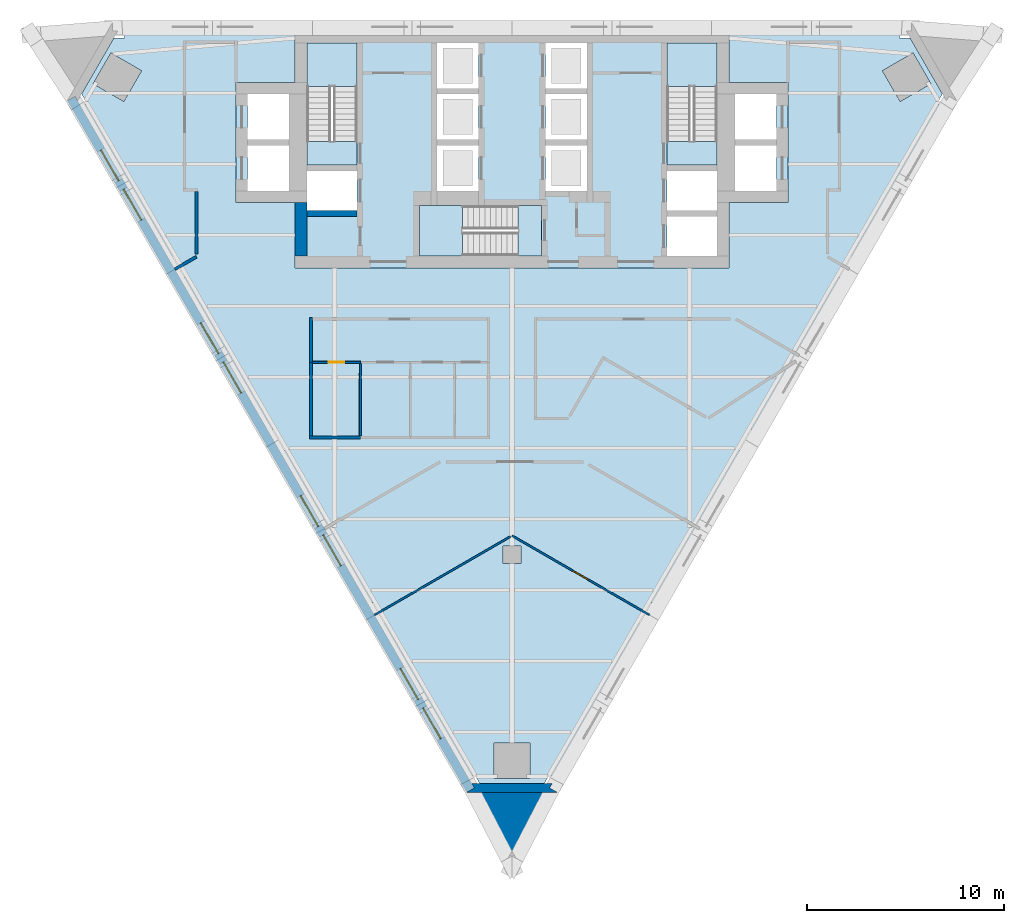
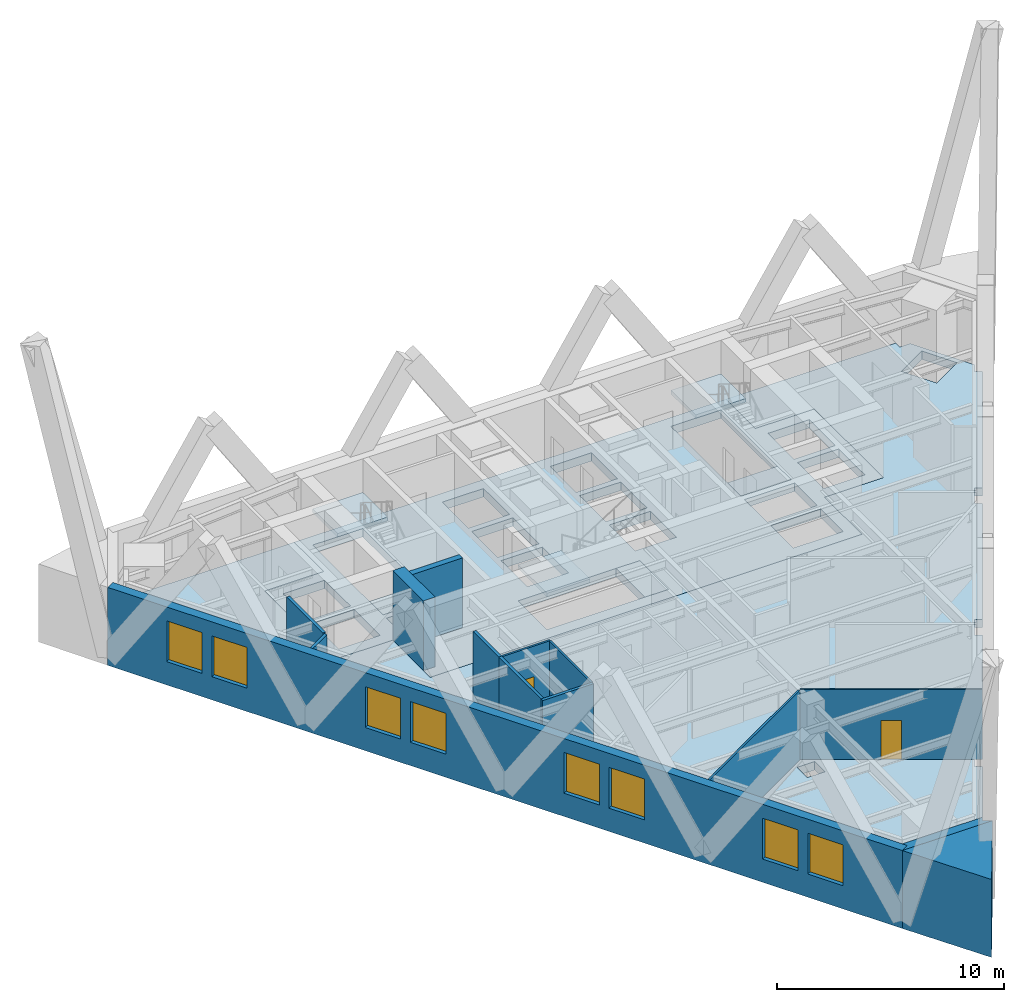
# One storey, part 2 of 8: 14 walls, 8 slabs, 8 windows, 2 doors, 10 openings, 3 elements without a shape of their own.
"""IFC4 building model written with IfcOpenShell, lengths in metres."""

from ifc_helpers import new_model, si_unit, direction, frame, frame_2d, origin, place, context, subcontext, project, spatial, polyline, rectangle, outline, extrude, material, layer, layer_set, type_object, element, fill, aggregate, save


model = new_model("IFC4")

# Units and contexts
model_context = context("Model", 3, precision=1e-05, world=origin(), true_north=direction((0.0, 1.0)))
body_context = subcontext(model_context, "Body", "Model", "MODEL_VIEW")
ifc_project = project(units=[si_unit("LENGTHUNIT", "METRE"), si_unit("AREAUNIT", "SQUARE_METRE"), si_unit("VOLUMEUNIT", "CUBIC_METRE"), si_unit("PLANEANGLEUNIT", "RADIAN"), si_unit("MASSUNIT", "GRAM", prefix="KILO")], contexts=[model_context])

# Site, building, storey
site_placement = place(None, origin())
site = spatial("IfcSite", under=ifc_project, at=site_placement, CompositionType="ELEMENT")
building_placement = place(site_placement, origin())
building = spatial("IfcBuilding", under=site, at=building_placement, Name="Aloe Facet Convention Tower", CompositionType="ELEMENT")
storey_placement = place(building_placement, frame((0.0, 0.0, 128.60009765625)))
storey = spatial("IfcBuildingStorey", under=building, at=storey_placement, Name="L32", CompositionType="ELEMENT", Elevation=128.60009765625)

# Slabs
ifc_material_1 = material(Name="Concrete C60/75", Category="concrete")
ifc_layer_1 = layer(ifc_material_1, 0.449951171875)
ifc_layer_set_1 = layer_set([ifc_layer_1], Name="CR-S-FLOOR450-C6075")
slab_type_1 = type_object("IfcSlabType", Name="CR-S-FLOOR450-C6075", PredefinedType="FLOOR", material=ifc_layer_set_1)
slab_1_placement = place(storey_placement, frame((0.0, 0.0, -0.4501953125)))
element("IfcSlab", 1, at=slab_1_placement, inside=storey, type_object=slab_type_1, Name="Stair landing floor L32", PredefinedType="FLOOR", context=body_context, shape_type="SweptSolid", body=[
    extrude(outline(polyline([(72.14990234375, 127.75), (72.14990234375, 128.951171875), (69.60009765625, 128.951171875), (69.60009765625, 127.75), (72.14990234375, 127.75)])), origin(), (0.0, 0.0, 1.0), 0.4501953125),
])
slab_2_placement = place(storey_placement, frame((0.0, 0.0, -0.4501953125)))
element("IfcSlab", 2, at=slab_2_placement, inside=storey, type_object=slab_type_1, Name="Stair landing floor L32", PredefinedType="FLOOR", context=body_context, shape_type="SweptSolid", body=[
    extrude(outline(polyline([(90.39990234375, 127.75), (90.39990234375, 128.951171875), (87.85009765625, 128.951171875), (87.85009765625, 127.75), (90.39990234375, 127.75)])), origin(), (0.0, 0.0, 1.0), 0.4501953125),
])
slab_3_placement = place(storey_placement, frame((0.0, 0.0, -0.4501953125)))
element("IfcSlab", 3, at=slab_3_placement, inside=storey, type_object=slab_type_1, Name="Stair landing floor L32", PredefinedType="FLOOR", context=body_context, shape_type="SweptSolid", body=[
    extrude(outline(polyline([(81.5, 125.699951171875), (80.298828125, 125.699951171875), (80.298828125, 123.14990234375), (81.5, 123.14990234375), (81.5, 125.699951171875)])), origin(), (0.0, 0.0, 1.0), 0.4501953125),
])
slab_4_placement = place(storey_placement, frame((0.0, 0.0, -0.4501953125)))
element("IfcSlab", 4, at=slab_4_placement, inside=storey, type_object=slab_type_1, Name="Core floor L32", PredefinedType="FLOOR", context=body_context, shape_type="SweptSolid", body=[
    extrude(outline(polyline([(69.0, 134.550048828125), (71.85009765625, 134.550048828125), (72.75, 134.550048828125), (75.60009765625, 134.550048828125), (76.5, 134.550048828125), (78.0, 134.550048828125), (78.89990234375, 134.550048828125), (81.10009765625, 134.550048828125), (82.0, 134.550048828125), (83.5, 134.550048828125), (84.39990234375, 134.550048828125), (87.25, 134.550048828125), (88.14990234375, 134.550048828125), (91.0, 134.550048828125), (91.0, 131.949951171875), (94.0, 131.949951171875), (94.0, 129.35009765625), (94.0, 128.449951171875), (94.0, 125.85009765625), (91.0, 125.85009765625), (91.0, 125.75), (91.0, 124.85009765625), (91.0, 122.550048828125), (88.14990234375, 122.550048828125), (87.25, 122.550048828125), (85.300048828125, 122.550048828125), (84.39990234375, 122.550048828125), (82.10009765625, 122.550048828125), (81.199951171875, 122.550048828125), (75.60009765625, 122.550048828125), (74.699951171875, 122.550048828125), (72.75, 122.550048828125), (71.85009765625, 122.550048828125), (69.0, 122.550048828125), (69.0, 124.85009765625), (69.0, 125.75), (69.0, 125.85009765625), (66.0, 125.85009765625), (66.0, 128.449951171875), (66.0, 129.35009765625), (66.0, 131.949951171875), (69.0, 131.949951171875), (69.0, 134.550048828125)]), holes=[polyline([(75.300048828125, 123.14990234375), (80.298828125, 123.14990234375), (81.5, 123.14990234375), (81.5, 125.699951171875), (80.298828125, 125.699951171875), (75.300048828125, 125.699951171875), (75.300048828125, 123.14990234375)]), polyline([(69.60009765625, 125.449951171875), (72.14990234375, 125.449951171875), (72.14990234375, 127.449951171875), (69.60009765625, 127.449951171875), (69.60009765625, 125.449951171875)]), polyline([(66.60009765625, 126.449951171875), (68.699951171875, 126.449951171875), (68.699951171875, 128.75), (66.60009765625, 128.75), (66.60009765625, 126.449951171875)]), polyline([(76.199951171875, 126.449951171875), (78.300048828125, 126.449951171875), (78.300048828125, 128.75), (76.199951171875, 128.75), (76.199951171875, 126.449951171875)]), polyline([(66.60009765625, 129.050048828125), (68.699951171875, 129.050048828125), (68.699951171875, 131.35009765625), (66.60009765625, 131.35009765625), (66.60009765625, 129.050048828125)]), polyline([(76.199951171875, 129.050048828125), (78.300048828125, 129.050048828125), (78.300048828125, 131.35009765625), (76.199951171875, 131.35009765625), (76.199951171875, 129.050048828125)]), polyline([(69.60009765625, 133.949951171875), (69.60009765625, 128.951171875), (69.60009765625, 127.75), (72.14990234375, 127.75), (72.14990234375, 128.951171875), (72.14990234375, 133.949951171875), (69.60009765625, 133.949951171875)]), polyline([(76.199951171875, 131.64990234375), (78.300048828125, 131.64990234375), (78.300048828125, 133.949951171875), (76.199951171875, 133.949951171875), (76.199951171875, 131.64990234375)]), polyline([(87.85009765625, 123.14990234375), (90.39990234375, 123.14990234375), (90.39990234375, 125.14990234375), (87.85009765625, 125.14990234375), (87.85009765625, 123.14990234375)]), polyline([(87.85009765625, 125.449951171875), (90.39990234375, 125.449951171875), (90.39990234375, 127.449951171875), (87.85009765625, 127.449951171875), (87.85009765625, 125.449951171875)]), polyline([(81.699951171875, 126.449951171875), (83.800048828125, 126.449951171875), (83.800048828125, 128.75), (81.699951171875, 128.75), (81.699951171875, 126.449951171875)]), polyline([(91.300048828125, 126.449951171875), (93.39990234375, 126.449951171875), (93.39990234375, 128.75), (91.300048828125, 128.75), (91.300048828125, 126.449951171875)]), polyline([(81.699951171875, 129.050048828125), (83.800048828125, 129.050048828125), (83.800048828125, 131.35009765625), (81.699951171875, 131.35009765625), (81.699951171875, 129.050048828125)]), polyline([(91.300048828125, 129.050048828125), (93.39990234375, 129.050048828125), (93.39990234375, 131.35009765625), (91.300048828125, 131.35009765625), (91.300048828125, 129.050048828125)]), polyline([(87.85009765625, 133.949951171875), (87.85009765625, 128.951171875), (87.85009765625, 127.75), (90.39990234375, 127.75), (90.39990234375, 128.951171875), (90.39990234375, 133.949951171875), (87.85009765625, 133.949951171875)]), polyline([(81.699951171875, 131.64990234375), (83.800048828125, 131.64990234375), (83.800048828125, 133.949951171875), (81.699951171875, 133.949951171875), (81.699951171875, 131.64990234375)])]), origin(), (0.0, 0.0, 1.0), 0.4501953125),
])

# Stair, slab
ifc_material_2 = material(Name="Concrete C50/60", Category="concrete")
stair_type = type_object("IfcStairType", Name="CR-ST-22R", PredefinedType="HALF_TURN_STAIR", material=ifc_material_2)
stair_1_placement = place(storey_placement, origin())
stair_1 = element("IfcStair", 5, at=stair_1_placement, inside=storey, type_object=stair_type, Name="L32 Protected exit stair ST1", PredefinedType="HALF_TURN_STAIR")
ifc_material_3 = material(Name="Concrete C50/60", Category="concrete")
ifc_layer_2 = layer(ifc_material_3, 0.199951171875)
ifc_layer_set_2 = layer_set([ifc_layer_2], Name="CR-SL-LANDING")
slab_type_2 = type_object("IfcSlabType", Name="CR-SL-LANDING", PredefinedType="LANDING", material=ifc_layer_set_2)
slab_5_placement = place(storey_placement, frame((0.0, 0.0, 1.75)))
slab_5 = element("IfcSlab", 6, at=slab_5_placement, type_object=slab_type_2, Name="ST1 landing 1", PredefinedType="LANDING", context=body_context, shape_type="SweptSolid", body=[
    extrude(outline(polyline([(72.14990234375, 131.75), (72.14990234375, 133.949951171875), (69.60009765625, 133.949951171875), (69.60009765625, 131.75), (72.14990234375, 131.75)])), origin(), (0.0, 0.0, 1.0), 0.199951171875),
])
aggregate(stair_1, [slab_5])

stair_2_placement = place(storey_placement, origin())
stair_2 = element("IfcStair", 7, at=stair_2_placement, inside=storey, type_object=stair_type, Name="L32 Protected exit stair ST2", PredefinedType="HALF_TURN_STAIR")
slab_6_placement = place(storey_placement, frame((0.0, 0.0, 1.75)))
slab_6 = element("IfcSlab", 8, at=slab_6_placement, type_object=slab_type_2, Name="ST2 landing 1", PredefinedType="LANDING", context=body_context, shape_type="SweptSolid", body=[
    extrude(outline(polyline([(90.39990234375, 131.75), (90.39990234375, 133.949951171875), (87.85009765625, 133.949951171875), (87.85009765625, 131.75), (90.39990234375, 131.75)])), origin(), (0.0, 0.0, 1.0), 0.199951171875),
])
aggregate(stair_2, [slab_6])

stair_3_placement = place(storey_placement, origin())
stair_3 = element("IfcStair", 9, at=stair_3_placement, inside=storey, type_object=stair_type, Name="L32 Protected exit stair ST3", PredefinedType="HALF_TURN_STAIR")
slab_7_placement = place(storey_placement, frame((0.0, 0.0, 1.75)))
slab_7 = element("IfcSlab", 10, at=slab_7_placement, type_object=slab_type_2, Name="ST3 landing 1", PredefinedType="LANDING", context=body_context, shape_type="SweptSolid", body=[
    extrude(outline(polyline([(77.5, 125.699951171875), (75.300048828125, 125.699951171875), (75.300048828125, 123.14990234375), (77.5, 123.14990234375), (77.5, 125.699951171875)])), origin(), (0.0, 0.0, 1.0), 0.199951171875),
])
aggregate(stair_3, [slab_7])

# Slab
ifc_material_4 = material(Name="Concrete C35/45", Category="concrete")
ifc_layer_3 = layer(ifc_material_4, 0.449951171875)
ifc_layer_set_3 = layer_set([ifc_layer_3], Name="SF-FS-450")
slab_type_3 = type_object("IfcSlabType", Name="SF-FS-450", PredefinedType="FLOOR", material=ifc_layer_set_3)
slab_8_placement = place(storey_placement, frame((0.0, 0.0, -0.4501953125)))
element("IfcSlab", 11, at=slab_8_placement, inside=storey, type_object=slab_type_3, Name="Floor slab L32-1", PredefinedType="FLOOR", context=body_context, shape_type="SweptSolid", body=[
    extrude(outline(polyline([(101.8212890625, 131.3662109375), (101.55224609375, 130.900146484375), (101.85546875, 130.72509765625), (97.390625, 122.991943359375), (97.08740234375, 123.1669921875), (96.78955078125, 122.65087890625), (96.491455078125, 122.134521484375), (96.794677734375, 121.959716796875), (92.329833984375, 114.226318359375), (92.026611328125, 114.4013671875), (91.728759765625, 113.88525390625), (91.4306640625, 113.369140625), (91.73388671875, 113.194091796875), (87.26904296875, 105.4609375), (86.966064453125, 105.635986328125), (86.66796875, 105.119873046875), (86.369873046875, 104.603515625), (86.673095703125, 104.4287109375), (82.208251953125, 96.6953125), (81.9052734375, 96.870361328125), (81.635986328125, 96.404296875), (78.364013671875, 96.404296875), (78.0947265625, 96.870361328125), (77.791748046875, 96.6953125), (73.326904296875, 104.4287109375), (73.630126953125, 104.603515625), (73.33203125, 105.119873046875), (73.033935546875, 105.635986328125), (72.73095703125, 105.4609375), (68.26611328125, 113.194091796875), (68.5693359375, 113.369140625), (68.271240234375, 113.88525390625), (67.973388671875, 114.4013671875), (67.670166015625, 114.226318359375), (63.205322265625, 121.959716796875), (63.508544921875, 122.134521484375), (63.21044921875, 122.65087890625), (62.91259765625, 123.1669921875), (62.609375, 122.991943359375), (58.14453125, 130.72509765625), (58.44775390625, 130.900146484375), (58.1787109375, 131.3662109375), (59.814697265625, 134.199951171875), (60.352783203125, 134.199951171875), (60.352783203125, 134.550048828125), (69.0, 134.550048828125), (69.0, 131.949951171875), (66.0, 131.949951171875), (66.0, 129.35009765625), (66.0, 128.449951171875), (66.0, 125.85009765625), (69.0, 125.85009765625), (69.0, 125.75), (69.0, 124.85009765625), (69.0, 122.550048828125), (71.85009765625, 122.550048828125), (72.75, 122.550048828125), (74.699951171875, 122.550048828125), (75.60009765625, 122.550048828125), (81.199951171875, 122.550048828125), (82.10009765625, 122.550048828125), (84.39990234375, 122.550048828125), (85.300048828125, 122.550048828125), (87.25, 122.550048828125), (88.14990234375, 122.550048828125), (91.0, 122.550048828125), (91.0, 124.85009765625), (91.0, 125.75), (91.0, 125.85009765625), (94.0, 125.85009765625), (94.0, 128.449951171875), (94.0, 129.35009765625), (94.0, 131.949951171875), (91.0, 131.949951171875), (91.0, 134.550048828125), (99.647216796875, 134.550048828125), (99.647216796875, 134.199951171875), (100.185302734375, 134.199951171875), (101.8212890625, 131.3662109375)]), holes=[polyline([(79.10009765625, 96.654296875), (80.89990234375, 96.654296875), (80.89990234375, 98.4541015625), (79.10009765625, 98.4541015625), (79.10009765625, 96.654296875)]), polyline([(59.6630859375, 133.4375), (58.76318359375, 131.878662109375), (60.322021484375, 130.978759765625), (61.221923828125, 132.53759765625), (59.6630859375, 133.4375)]), polyline([(80.449951171875, 107.550048828125), (80.449951171875, 108.449951171875), (79.550048828125, 108.449951171875), (79.550048828125, 107.550048828125), (80.449951171875, 107.550048828125)]), polyline([(101.23681640625, 131.878662109375), (100.3369140625, 133.4375), (98.778076171875, 132.53759765625), (99.677978515625, 130.978759765625), (101.23681640625, 131.878662109375)])]), origin(), (0.0, 0.0, 1.0), 0.4501953125),
])

# Walls
ifc_material_5 = material(Name="Concrete C60/75", Category="concrete")
ifc_layer_4 = layer(ifc_material_5, 0.300048828125)
ifc_layer_set_4 = layer_set([ifc_layer_4], Name="CR-W-RC300-C6075")
wall_type_1 = type_object("IfcWallType", Name="CR-W-RC300-C6075", PredefinedType="SOLIDWALL", material=ifc_layer_set_4)
wall_1_placement = place(storey_placement, frame((69.60009765625, 125.300048828125, 0.0), z_axis=(0.0, 0.0, 1.0), x_axis=(1.0, 0.0, 0.0)))
element("IfcWall", 12, at=wall_1_placement, inside=storey, type_object=wall_type_1, Name="Core wall L32-011", PredefinedType="SOLIDWALL", context=body_context, shape_type="SweptSolid", body=[
    extrude(rectangle(XDim=2.5498046875, YDim=0.300048828125, at=frame_2d((1.27490234375, 0.0))), origin(), (0.0, 0.0, 1.0), 3.75),
])
ifc_material_6 = material(Name="Concrete C60/75", Category="concrete")
ifc_layer_5 = layer(ifc_material_6, 0.60009765625)
ifc_layer_set_5 = layer_set([ifc_layer_5], Name="CR-W-RC600-C6075")
wall_type_2 = type_object("IfcWallType", Name="CR-W-RC600-C6075", PredefinedType="SOLIDWALL", material=ifc_layer_set_5)
wall_2_placement = place(storey_placement, frame((69.300048828125, 125.85009765625, 0.0), z_axis=(0.0, 0.0, 1.0), x_axis=(0.0, -1.0, 0.0)))
element("IfcWall", 13, at=wall_2_placement, inside=storey, type_object=wall_type_2, Name="Core wall L32-008", PredefinedType="SOLIDWALL", context=body_context, shape_type="SweptSolid", body=[
    extrude(rectangle(XDim=2.7001953125, YDim=0.60009765625, at=frame_2d((1.35009765625, 0.0))), origin(), (0.0, 0.0, 1.0), 3.75),
])
ifc_material_7 = material(Name="Precast concrete C40/50", Category="concrete")
ifc_layer_6 = layer(ifc_material_7, 0.449951171875)
ifc_layer_set_6 = layer_set([ifc_layer_6], Name="EV-WALL-PIER")
wall_type_3 = type_object("IfcWallType", Name="EV-WALL-PIER", PredefinedType="SOLIDWALL", material=ifc_layer_set_6)
wall_3_placement = place(storey_placement, frame((0.0, 0.0, -0.4501953125)))
element("IfcWall", 14, at=wall_3_placement, inside=storey, type_object=wall_type_3, Name="EP-L32-B", PredefinedType="SOLIDWALL", context=body_context, shape_type="SweptSolid", body=[
    extrude(outline(polyline([(77.699951171875, 95.954345703125), (78.089599609375, 96.17919921875), (77.959716796875, 96.404296875), (82.040283203125, 96.404296875), (81.910400390625, 96.17919921875), (82.300048828125, 95.954345703125), (77.699951171875, 95.954345703125)])), origin(), (0.0, 0.0, 1.0), 4.2001953125),
])
ifc_material_8 = material(Name="Precast concrete C40/50", Category="concrete")
ifc_layer_7 = layer(ifc_material_8, 3.947998046875)
ifc_layer_set_7 = layer_set([ifc_layer_7], Name="EV-WALL-SPINE")
wall_type_4 = type_object("IfcWallType", Name="EV-WALL-SPINE", PredefinedType="SOLIDWALL", material=ifc_layer_set_7)
wall_4_placement = place(storey_placement, frame((0.0, 0.0, -0.4501953125)))
element("IfcWall", 15, at=wall_4_placement, inside=storey, type_object=wall_type_4, Name="SP-S-L32", PredefinedType="SOLIDWALL", context=body_context, shape_type="SweptSolid", body=[
    extrude(outline(polyline([(77.699951171875, 95.954345703125), (80.0, 92.05126953125), (82.300048828125, 95.954345703125), (77.699951171875, 95.954345703125)])), origin(), (0.0, 0.0, 1.0), 4.2001953125),
])

# Wall, openings, windows
ifc_material_9 = material(Name="Precast concrete C40/50", Category="concrete")
ifc_layer_8 = layer(ifc_material_9, 0.449951171875)
ifc_layer_set_8 = layer_set([ifc_layer_8], Name="EV-WALL-STONE")
wall_type_5 = type_object("IfcWallType", Name="EV-WALL-STONE", PredefinedType="SOLIDWALL", material=ifc_layer_set_8)
wall_5_placement = place(storey_placement, frame((57.65185546875, 131.128662109375, -0.4501953125), z_axis=(0.0, 0.0, 1.0), x_axis=(0.499997369791, -0.866026922331, 0.0)))
wall_5 = element("IfcWall", 16, at=wall_5_placement, inside=storey, type_object=wall_type_5, Name="EW-L32-W01", PredefinedType="SOLIDWALL", context=body_context, shape_type="SweptSolid", body=[
    extrude(outline(polyline([(40.486083984375, 0.0), (40.486083984375, 4.2001953125), (0.0, 4.2001953125), (0.0, 0.0), (40.486083984375, 0.0)])), frame((0.0, 0.22509765625, 0.0), z_axis=(0.0, -1.0, 0.0), x_axis=(1.0, 0.0, 0.0)), (0.0, 0.0, 1.0), 0.449951171875),
])
opening_1_placement = place(wall_5_placement, frame((3.0107421875, 0.0, 1.25)))
opening_1 = element("IfcOpeningElement", 17, at=opening_1_placement, cuts=wall_5, Name="Opening W-L32-W01", PredefinedType="OPENING", context=body_context, shape_type="SweptSolid", body=[
    extrude(rectangle(XDim=1.800048828125, YDim=2.199951171875, at=frame_2d((0.89990234375, 1.10009765625))), frame((0.0, 0.23486328125, 0.0), z_axis=(0.0, -1.0, 0.0), x_axis=(1.0, 0.0, 0.0)), (0.0, 0.0, 1.0), 0.469970703125),
])
opening_2_placement = place(wall_5_placement, frame((5.310791015625, 0.0, 1.25)))
opening_2 = element("IfcOpeningElement", 18, at=opening_2_placement, cuts=wall_5, Name="Opening W-L32-W02", PredefinedType="OPENING", context=body_context, shape_type="SweptSolid", body=[
    extrude(rectangle(XDim=1.800048828125, YDim=2.199951171875, at=frame_2d((0.89990234375, 1.10009765625))), frame((0.0, 0.23486328125, 0.0), z_axis=(0.0, -1.0, 0.0), x_axis=(1.0, 0.0, 0.0)), (0.0, 0.0, 1.0), 0.469970703125),
])
opening_3_placement = place(wall_5_placement, frame((13.13232421875, 0.0, 1.25)))
opening_3 = element("IfcOpeningElement", 19, at=opening_3_placement, cuts=wall_5, Name="Opening W-L32-W03", PredefinedType="OPENING", context=body_context, shape_type="SweptSolid", body=[
    extrude(rectangle(XDim=1.800048828125, YDim=2.199951171875, at=frame_2d((0.89990234375, 1.10009765625))), frame((0.0, 0.23486328125, 0.0), z_axis=(0.0, -1.0, 0.0), x_axis=(1.0, 0.0, 0.0)), (0.0, 0.0, 1.0), 0.469970703125),
])
opening_4_placement = place(wall_5_placement, frame((15.432373046875, 0.0, 1.25)))
opening_4 = element("IfcOpeningElement", 20, at=opening_4_placement, cuts=wall_5, Name="Opening W-L32-W04", PredefinedType="OPENING", context=body_context, shape_type="SweptSolid", body=[
    extrude(rectangle(XDim=1.800048828125, YDim=2.199951171875, at=frame_2d((0.89990234375, 1.10009765625))), frame((0.0, 0.23486328125, 0.0), z_axis=(0.0, -1.0, 0.0), x_axis=(1.0, 0.0, 0.0)), (0.0, 0.0, 1.0), 0.469970703125),
])
opening_5_placement = place(wall_5_placement, frame((23.25390625, 0.0, 1.25)))
opening_5 = element("IfcOpeningElement", 21, at=opening_5_placement, cuts=wall_5, Name="Opening W-L32-W05", PredefinedType="OPENING", context=body_context, shape_type="SweptSolid", body=[
    extrude(rectangle(XDim=1.800048828125, YDim=2.199951171875, at=frame_2d((0.89990234375, 1.10009765625))), frame((0.0, 0.23486328125, 0.0), z_axis=(0.0, -1.0, 0.0), x_axis=(1.0, 0.0, 0.0)), (0.0, 0.0, 1.0), 0.469970703125),
])
opening_6_placement = place(wall_5_placement, frame((25.553955078125, 0.0, 1.25)))
opening_6 = element("IfcOpeningElement", 22, at=opening_6_placement, cuts=wall_5, Name="Opening W-L32-W06", PredefinedType="OPENING", context=body_context, shape_type="SweptSolid", body=[
    extrude(rectangle(XDim=1.800048828125, YDim=2.199951171875, at=frame_2d((0.89990234375, 1.10009765625))), frame((0.0, 0.23486328125, 0.0), z_axis=(0.0, -1.0, 0.0), x_axis=(1.0, 0.0, 0.0)), (0.0, 0.0, 1.0), 0.469970703125),
])
opening_7_placement = place(wall_5_placement, frame((33.37548828125, 0.0, 1.25)))
opening_7 = element("IfcOpeningElement", 23, at=opening_7_placement, cuts=wall_5, Name="Opening W-L32-W07", PredefinedType="OPENING", context=body_context, shape_type="SweptSolid", body=[
    extrude(rectangle(XDim=1.800048828125, YDim=2.199951171875, at=frame_2d((0.89990234375, 1.10009765625))), frame((0.0, 0.23486328125, 0.0), z_axis=(0.0, -1.0, 0.0), x_axis=(1.0, 0.0, 0.0)), (0.0, 0.0, 1.0), 0.469970703125),
])
opening_8_placement = place(wall_5_placement, frame((35.67529296875, 0.0, 1.25)))
opening_8 = element("IfcOpeningElement", 24, at=opening_8_placement, cuts=wall_5, Name="Opening W-L32-W08", PredefinedType="OPENING", context=body_context, shape_type="SweptSolid", body=[
    extrude(rectangle(XDim=1.800048828125, YDim=2.199951171875, at=frame_2d((0.89990234375, 1.10009765625))), frame((0.0, 0.23486328125, 0.0), z_axis=(0.0, -1.0, 0.0), x_axis=(1.0, 0.0, 0.0)), (0.0, 0.0, 1.0), 0.469970703125),
])
ifc_material_10 = material(Name="Aluminium frame, clear double glazing", Category="aluminium")
window_type = type_object("IfcWindowType", Name="EV-WIN-O18", PartitioningType="SINGLE_PANEL", PredefinedType="WINDOW", material=ifc_material_10)
window_1_placement = place(opening_1_placement, origin())
window_1 = element("IfcWindow", 25, at=window_1_placement, inside=storey, type_object=window_type, Name="W-L32-W01", OverallHeight=2.199951171875, OverallWidth=1.800048828125, PartitioningType="SINGLE_PANEL", PredefinedType="WINDOW", context=body_context, shape_type="SweptSolid", body=[
    extrude(rectangle(XDim=1.800048828125, YDim=2.199951171875, at=frame_2d((0.89990234375, 1.10009765625))), frame((0.0, 0.030029296875, 0.0), z_axis=(0.0, -1.0, 0.0), x_axis=(1.0, 0.0, 0.0)), (0.0, 0.0, 1.0), 0.06005859375),
])
fill(opening_1, window_1)
window_2_placement = place(opening_2_placement, origin())
window_2 = element("IfcWindow", 26, at=window_2_placement, inside=storey, type_object=window_type, Name="W-L32-W02", OverallHeight=2.199951171875, OverallWidth=1.800048828125, PartitioningType="SINGLE_PANEL", PredefinedType="WINDOW", context=body_context, shape_type="SweptSolid", body=[
    extrude(rectangle(XDim=1.800048828125, YDim=2.199951171875, at=frame_2d((0.89990234375, 1.10009765625))), frame((0.0, 0.030029296875, 0.0), z_axis=(0.0, -1.0, 0.0), x_axis=(1.0, 0.0, 0.0)), (0.0, 0.0, 1.0), 0.06005859375),
])
fill(opening_2, window_2)
window_3_placement = place(opening_3_placement, origin())
window_3 = element("IfcWindow", 27, at=window_3_placement, inside=storey, type_object=window_type, Name="W-L32-W03", OverallHeight=2.199951171875, OverallWidth=1.800048828125, PartitioningType="SINGLE_PANEL", PredefinedType="WINDOW", context=body_context, shape_type="SweptSolid", body=[
    extrude(rectangle(XDim=1.800048828125, YDim=2.199951171875, at=frame_2d((0.89990234375, 1.10009765625))), frame((0.0, 0.030029296875, 0.0), z_axis=(0.0, -1.0, 0.0), x_axis=(1.0, 0.0, 0.0)), (0.0, 0.0, 1.0), 0.06005859375),
])
fill(opening_3, window_3)
window_4_placement = place(opening_4_placement, origin())
window_4 = element("IfcWindow", 28, at=window_4_placement, inside=storey, type_object=window_type, Name="W-L32-W04", OverallHeight=2.199951171875, OverallWidth=1.800048828125, PartitioningType="SINGLE_PANEL", PredefinedType="WINDOW", context=body_context, shape_type="SweptSolid", body=[
    extrude(rectangle(XDim=1.800048828125, YDim=2.199951171875, at=frame_2d((0.89990234375, 1.10009765625))), frame((0.0, 0.030029296875, 0.0), z_axis=(0.0, -1.0, 0.0), x_axis=(1.0, 0.0, 0.0)), (0.0, 0.0, 1.0), 0.06005859375),
])
fill(opening_4, window_4)
window_5_placement = place(opening_5_placement, origin())
window_5 = element("IfcWindow", 29, at=window_5_placement, inside=storey, type_object=window_type, Name="W-L32-W05", OverallHeight=2.199951171875, OverallWidth=1.800048828125, PartitioningType="SINGLE_PANEL", PredefinedType="WINDOW", context=body_context, shape_type="SweptSolid", body=[
    extrude(rectangle(XDim=1.800048828125, YDim=2.199951171875, at=frame_2d((0.89990234375, 1.10009765625))), frame((0.0, 0.030029296875, 0.0), z_axis=(0.0, -1.0, 0.0), x_axis=(1.0, 0.0, 0.0)), (0.0, 0.0, 1.0), 0.06005859375),
])
fill(opening_5, window_5)
window_6_placement = place(opening_6_placement, origin())
window_6 = element("IfcWindow", 30, at=window_6_placement, inside=storey, type_object=window_type, Name="W-L32-W06", OverallHeight=2.199951171875, OverallWidth=1.800048828125, PartitioningType="SINGLE_PANEL", PredefinedType="WINDOW", context=body_context, shape_type="SweptSolid", body=[
    extrude(rectangle(XDim=1.800048828125, YDim=2.199951171875, at=frame_2d((0.89990234375, 1.10009765625))), frame((0.0, 0.030029296875, 0.0), z_axis=(0.0, -1.0, 0.0), x_axis=(1.0, 0.0, 0.0)), (0.0, 0.0, 1.0), 0.06005859375),
])
fill(opening_6, window_6)
window_7_placement = place(opening_7_placement, origin())
window_7 = element("IfcWindow", 31, at=window_7_placement, inside=storey, type_object=window_type, Name="W-L32-W07", OverallHeight=2.199951171875, OverallWidth=1.800048828125, PartitioningType="SINGLE_PANEL", PredefinedType="WINDOW", context=body_context, shape_type="SweptSolid", body=[
    extrude(rectangle(XDim=1.800048828125, YDim=2.199951171875, at=frame_2d((0.89990234375, 1.10009765625))), frame((0.0, 0.030029296875, 0.0), z_axis=(0.0, -1.0, 0.0), x_axis=(1.0, 0.0, 0.0)), (0.0, 0.0, 1.0), 0.06005859375),
])
fill(opening_7, window_7)
window_8_placement = place(opening_8_placement, origin())
window_8 = element("IfcWindow", 32, at=window_8_placement, inside=storey, type_object=window_type, Name="W-L32-W08", OverallHeight=2.199951171875, OverallWidth=1.800048828125, PartitioningType="SINGLE_PANEL", PredefinedType="WINDOW", context=body_context, shape_type="SweptSolid", body=[
    extrude(rectangle(XDim=1.800048828125, YDim=2.199951171875, at=frame_2d((0.89990234375, 1.10009765625))), frame((0.0, 0.030029296875, 0.0), z_axis=(0.0, -1.0, 0.0), x_axis=(1.0, 0.0, 0.0)), (0.0, 0.0, 1.0), 0.06005859375),
])
fill(opening_8, window_8)

# Walls
ifc_material_11 = material(Name="Gypsum board partition on steel studs", Category="steel")
ifc_layer_9 = layer(ifc_material_11, 0.14990234375)
ifc_layer_set_9 = layer_set([ifc_layer_9], Name="IN-W-CORR")
wall_type_6 = type_object("IfcWallType", Name="IN-W-CORR", PredefinedType="PARTITIONING", material=ifc_layer_set_9)
wall_6_placement = place(storey_placement, frame((69.72705078125, 113.949951171875, 0.0), z_axis=(0.0, 0.0, 1.0), x_axis=(1.0, 0.0, 0.0)))
element("IfcWall", 33, at=wall_6_placement, inside=storey, type_object=wall_type_6, Name="Partition L32-W006", PredefinedType="PARTITIONING", context=body_context, shape_type="SweptSolid", body=[
    extrude(rectangle(XDim=2.5830078125, YDim=0.14990234375, at=frame_2d((1.29150390625, 0.0))), origin(), (0.0, 0.0, 1.0), 3.75),
])
wall_7_placement = place(storey_placement, frame((69.802001953125, 114.02490234375, 0.0), z_axis=(0.0, 0.0, 1.0), x_axis=(-0.000524315041, 0.999999862547, 0.0)))
element("IfcWall", 34, at=wall_7_placement, inside=storey, type_object=wall_type_6, Name="Partition L32-W022", PredefinedType="PARTITIONING", context=body_context, shape_type="SweptSolid", body=[
    extrude(rectangle(XDim=3.72509765625, YDim=0.14990234375, at=frame_2d((1.862548828125, 0.0))), origin(), (0.0, 0.0, 1.0), 3.75),
])
wall_8_placement = place(storey_placement, frame((69.800048828125, 117.75, 0.0), z_axis=(0.0, 0.0, 1.0), x_axis=(0.0, 1.0, 0.0)))
element("IfcWall", 35, at=wall_8_placement, inside=storey, type_object=wall_type_6, Name="Partition L32-W025", PredefinedType="PARTITIONING", context=body_context, shape_type="SweptSolid", body=[
    extrude(rectangle(XDim=2.27294921875, YDim=0.14990234375, at=frame_2d((1.136474609375, 0.0))), origin(), (0.0, 0.0, 1.0), 3.75),
])
wall_9_placement = place(storey_placement, frame((62.907470703125, 122.475830078125, 0.0), z_axis=(0.0, 0.0, 1.0), x_axis=(0.865995441363, 0.500051892845, 0.0)))
element("IfcWall", 36, at=wall_9_placement, inside=storey, type_object=wall_type_6, Name="Partition L32-W030", PredefinedType="PARTITIONING", context=body_context, shape_type="SweptSolid", body=[
    extrude(rectangle(XDim=1.261474609375, YDim=0.14990234375, at=frame_2d((0.630859375, 0.0))), origin(), (0.0, 0.0, 1.0), 3.75),
])
wall_10_placement = place(storey_placement, frame((64.0, 123.236572265625, 0.0), z_axis=(0.0, 0.0, 1.0), x_axis=(0.0, 1.0, 0.0)))
element("IfcWall", 37, at=wall_10_placement, inside=storey, type_object=wall_type_6, Name="Partition L32-W033", PredefinedType="PARTITIONING", context=body_context, shape_type="SweptSolid", body=[
    extrude(rectangle(XDim=3.1884765625, YDim=0.14990234375, at=frame_2d((1.59423828125, 0.0))), origin(), (0.0, 0.0, 1.0), 3.75),
])

# Wall, opening, door
ifc_material_12 = material(Name="Gypsum board partition on steel studs", Category="steel")
ifc_layer_10 = layer(ifc_material_12, 0.10009765625)
ifc_layer_set_10 = layer_set([ifc_layer_10], Name="IN-W-PART")
wall_type_7 = type_object("IfcWallType", Name="IN-W-PART", PredefinedType="PARTITIONING", material=ifc_layer_set_10)
wall_11_placement = place(storey_placement, frame((80.0, 108.969482421875, 0.0), z_axis=(0.0, 0.0, 1.0), x_axis=(0.86602648383, -0.499998129301, 0.0)))
wall_11 = element("IfcWall", 38, at=wall_11_placement, inside=storey, type_object=wall_type_7, Name="Partition L32-W001", PredefinedType="PARTITIONING", context=body_context, shape_type="SweptSolid", body=[
    extrude(rectangle(XDim=8.04931640625, YDim=0.10009765625, at=frame_2d((4.024658203125, 0.0))), origin(), (0.0, 0.0, 1.0), 3.75),
])
opening_9_placement = place(wall_11_placement, frame((3.57470703125, 0.0, 0.0)))
opening_9 = element("IfcOpeningElement", 39, at=opening_9_placement, cuts=wall_11, Name="Opening L32-009", PredefinedType="OPENING", context=body_context, shape_type="SweptSolid", body=[
    extrude(rectangle(XDim=0.89990234375, YDim=2.10009765625, at=frame_2d((0.449951171875, 1.050048828125))), frame((0.0, 0.06005859375, 0.0), z_axis=(0.0, -1.0, 0.0), x_axis=(1.0, 0.0, 0.0)), (0.0, 0.0, 1.0), 0.1201171875),
])
ifc_material_13 = material(Name="Timber door", Category="wood")
door_type_1 = type_object("IfcDoorType", Name="IN-OFF-D-ROOM", OperationType="SINGLE_SWING_LEFT", PredefinedType="DOOR", material=ifc_material_13)
door_1_placement = place(opening_9_placement, origin())
door_1 = element("IfcDoor", 40, at=door_1_placement, inside=storey, type_object=door_type_1, Name="Door L32-009", OperationType="SINGLE_SWING_LEFT", OverallHeight=2.10009765625, OverallWidth=0.89990234375, PredefinedType="DOOR", context=body_context, shape_type="SweptSolid", body=[
    extrude(rectangle(XDim=0.89990234375, YDim=2.10009765625, at=frame_2d((0.449951171875, 1.050048828125))), frame((0.0, 0.02490234375, 0.0), z_axis=(0.0, -1.0, 0.0), x_axis=(1.0, 0.0, 0.0)), (0.0, 0.0, 1.0), 0.050048828125),
])
fill(opening_9, door_1)

# Walls
wall_12_placement = place(storey_placement, frame((73.029052734375, 104.94482421875, 0.0), z_axis=(0.0, 0.0, 1.0), x_axis=(0.866023222546, 0.500003777996, 0.0)))
element("IfcWall", 41, at=wall_12_placement, inside=storey, type_object=wall_type_7, Name="Partition L32-W002", PredefinedType="PARTITIONING", context=body_context, shape_type="SweptSolid", body=[
    extrude(rectangle(XDim=7.962890625, YDim=0.10009765625, at=frame_2d((3.9814453125, 0.0))), origin(), (0.0, 0.0, 1.0), 3.75),
])
wall_13_placement = place(storey_placement, frame((72.310302734375, 114.02490234375, 0.0), z_axis=(0.0, 0.0, 1.0), x_axis=(0.002590836983, 0.999996643776, 0.0)))
element("IfcWall", 42, at=wall_13_placement, inside=storey, type_object=wall_type_7, Name="Partition L32-W015", PredefinedType="PARTITIONING", context=body_context, shape_type="SweptSolid", body=[
    extrude(rectangle(XDim=3.675048828125, YDim=0.10009765625, at=frame_2d((1.83740234375, 0.0))), origin(), (0.0, 0.0, 1.0), 3.75),
])

# Wall, opening, door
wall_14_placement = place(storey_placement, frame((69.875, 117.75, 0.0), z_axis=(0.0, 0.0, 1.0), x_axis=(1.0, 0.0, 0.0)))
wall_14 = element("IfcWall", 43, at=wall_14_placement, inside=storey, type_object=wall_type_7, Name="Partition L32-W016", PredefinedType="PARTITIONING", context=body_context, shape_type="SweptSolid", body=[
    extrude(rectangle(XDim=2.445068359375, YDim=0.10009765625, at=frame_2d((1.22265625, 0.0))), origin(), (0.0, 0.0, 1.0), 3.75),
])
opening_10_placement = place(wall_14_placement, frame((0.822509765625, 0.0, 0.0)))
opening_10 = element("IfcOpeningElement", 44, at=opening_10_placement, cuts=wall_14, Name="Opening L32-002", PredefinedType="OPENING", context=body_context, shape_type="SweptSolid", body=[
    extrude(rectangle(XDim=0.800048828125, YDim=2.10009765625, at=frame_2d((0.39990234375, 1.050048828125))), frame((0.0, 0.06005859375, 0.0), z_axis=(0.0, -1.0, 0.0), x_axis=(1.0, 0.0, 0.0)), (0.0, 0.0, 1.0), 0.1201171875),
])
ifc_material_14 = material(Name="Timber door", Category="wood")
door_type_2 = type_object("IfcDoorType", Name="IN-OFF-D-WC", OperationType="SINGLE_SWING_LEFT", PredefinedType="DOOR", material=ifc_material_14)
door_2_placement = place(opening_10_placement, origin())
door_2 = element("IfcDoor", 45, at=door_2_placement, inside=storey, type_object=door_type_2, Name="Door L32-002", OperationType="SINGLE_SWING_LEFT", OverallHeight=2.10009765625, OverallWidth=0.800048828125, PredefinedType="DOOR", context=body_context, shape_type="SweptSolid", body=[
    extrude(rectangle(XDim=0.800048828125, YDim=2.10009765625, at=frame_2d((0.39990234375, 1.050048828125))), frame((0.0, 0.02490234375, 0.0), z_axis=(0.0, -1.0, 0.0), x_axis=(1.0, 0.0, 0.0)), (0.0, 0.0, 1.0), 0.050048828125),
])
fill(opening_10, door_2)

save(model, "model.ifc")
